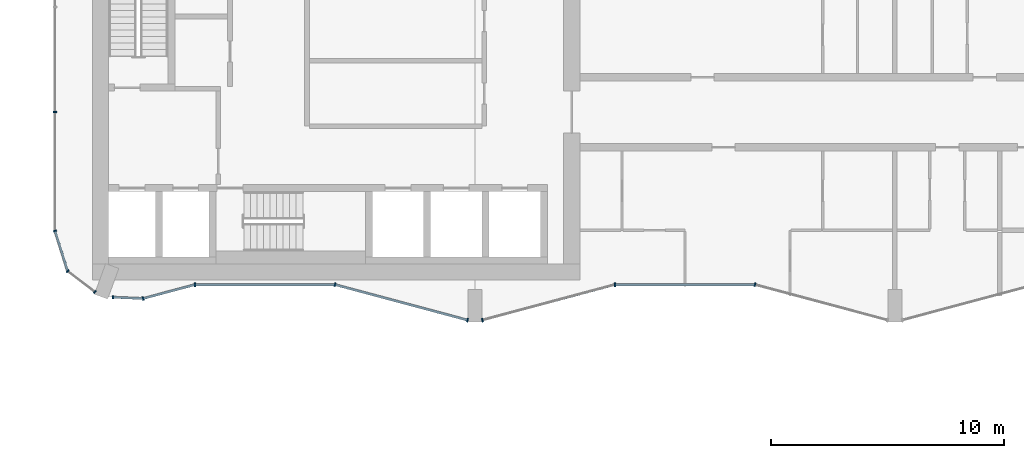
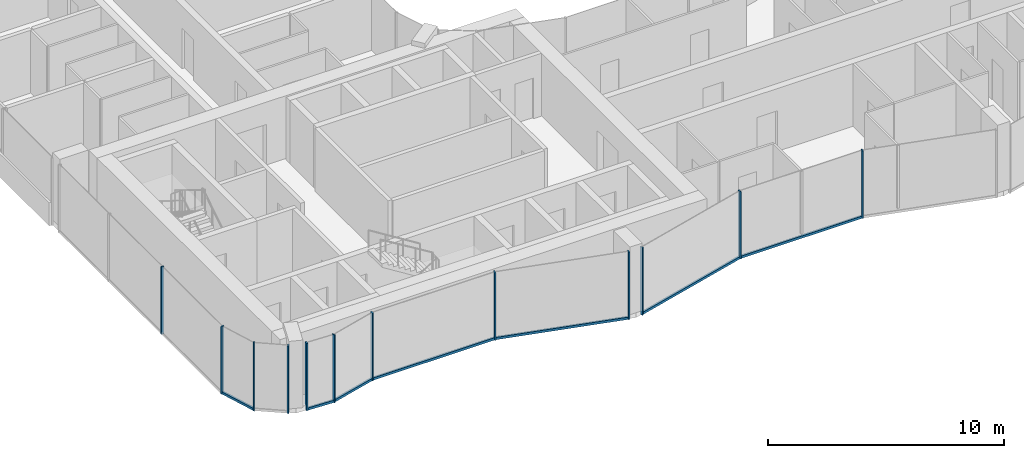
# One storey, part 2 of 23: 19 members, 10 elements without a shape of their own.
"""IFC4 building model written with IfcOpenShell, lengths in metres."""

from ifc_helpers import new_model, si_unit, direction, frame, origin, origin_2d, place, context, subcontext, project, spatial, rectangle, extrude, material, layer, layer_set, material_profile, profile_set, type_object, element, aggregate, save


model = new_model("IFC4")

# Units and contexts
model_context = context("Model", 3, precision=1e-05, world=origin(), true_north=direction((0.0, 1.0)))
body_context = subcontext(model_context, "Body", "Model", "MODEL_VIEW")
ifc_project = project(units=[si_unit("LENGTHUNIT", "METRE"), si_unit("AREAUNIT", "SQUARE_METRE"), si_unit("VOLUMEUNIT", "CUBIC_METRE"), si_unit("PLANEANGLEUNIT", "RADIAN"), si_unit("MASSUNIT", "GRAM", prefix="KILO")], contexts=[model_context])

# Site, building, storey
site_placement = place(None, origin())
site = spatial("IfcSite", under=ifc_project, at=site_placement, CompositionType="ELEMENT")
building_placement = place(site_placement, origin())
building = spatial("IfcBuilding", under=site, at=building_placement, Name="Plateau Cross Towers", CompositionType="ELEMENT")
storey_placement = place(building_placement, frame((0.0, 0.0, 95.800048828125)))
storey = spatial("IfcBuildingStorey", under=building, at=storey_placement, Name="L24", CompositionType="ELEMENT", Elevation=95.800048828125)

# Curtain wall, member
ifc_material_1 = material(Name="Dark low-iron glass", Category="glass")
ifc_layer_1 = layer(ifc_material_1, 0.239990234375)
ifc_layer_set_1 = layer_set([ifc_layer_1], Name="Dark low-iron glass")
curtain_wall_type_1 = type_object("IfcCurtainWallType", Name="Curtain wall flush unitised CW-B", PredefinedType="NOTDEFINED", material=ifc_layer_set_1)
curtain_wall_1_placement = place(storey_placement, origin())
curtain_wall_1 = element("IfcCurtainWall", 1, at=curtain_wall_1_placement, inside=storey, type_object=curtain_wall_type_1, Name="ENV/A/L24/A0_177", PredefinedType="NOTDEFINED")
ifc_material_2 = material(Name="Black anodised aluminium", Category="aluminium")
ifc_material_profile_1 = material_profile(ifc_material_2, rectangle(XDim=0.06005859375, YDim=0.139892578125, at=origin_2d()), Name="MULLION 60x140")
ifc_profile_set_1 = profile_set([ifc_material_profile_1], Name="Black anodised aluminium")
member_type_1 = type_object("IfcMemberType", Name="Mullion 60x140 flush unitised", PredefinedType="MULLION", material=ifc_profile_set_1)
member_1_placement = place(storey_placement, frame((0.0, 9.0, -0.25), z_axis=(0.0, 0.0, 1.0), x_axis=(0.0, -1.0, 0.0)))
member_1 = element("IfcMember", 2, at=member_1_placement, type_object=member_type_1, Name="CW-B mullion 3", PredefinedType="MULLION", context=body_context, shape_type="SweptSolid", body=[
    extrude(rectangle(XDim=0.06005859375, YDim=0.139892578125, at=origin_2d()), origin(), (0.0, 0.0, 1.0), 3.5),
])
aggregate(curtain_wall_1, [member_1])

curtain_wall_2_placement = place(storey_placement, origin())
curtain_wall_2 = element("IfcCurtainWall", 3, at=curtain_wall_2_placement, inside=storey, type_object=curtain_wall_type_1, Name="ENV/A/L24/A0_39", PredefinedType="NOTDEFINED")
member_2_placement = place(storey_placement, frame((0.0, 3.9091796875, -0.25), z_axis=(0.0, 0.0, 1.0), x_axis=(0.300686174994, -0.95372313811, 0.0)))
member_2 = element("IfcMember", 4, at=member_2_placement, type_object=member_type_1, Name="CW-B mullion 1", PredefinedType="MULLION", context=body_context, shape_type="SweptSolid", body=[
    extrude(rectangle(XDim=0.06005859375, YDim=0.139892578125, at=origin_2d()), origin(), (0.0, 0.0, 1.0), 3.5),
])

# Curtain wall, members
curtain_wall_3_placement = place(storey_placement, origin())
curtain_wall_3 = element("IfcCurtainWall", 5, at=curtain_wall_3_placement, inside=storey, type_object=curtain_wall_type_1, Name="ENV/A/L24/A5_22", PredefinedType="NOTDEFINED")
member_3_placement = place(storey_placement, frame((0.54248046875, 2.1884765625, -0.25), z_axis=(0.0, 0.0, 1.0), x_axis=(0.793315514529, -0.608810721331, 0.0)))
member_3 = element("IfcMember", 6, at=member_3_placement, type_object=member_type_1, Name="CW-B mullion 1", PredefinedType="MULLION", context=body_context, shape_type="SweptSolid", body=[
    extrude(rectangle(XDim=0.06005859375, YDim=0.139892578125, at=origin_2d()), origin(), (0.0, 0.0, 1.0), 3.5),
])
member_4_placement = place(storey_placement, frame((1.709716796875, 1.292724609375, -0.25), z_axis=(0.0, 0.0, 1.0), x_axis=(0.793315514529, -0.608810721331, 0.0)))
member_4 = element("IfcMember", 7, at=member_4_placement, type_object=member_type_1, Name="CW-B mullion 2", PredefinedType="MULLION", context=body_context, shape_type="SweptSolid", body=[
    extrude(rectangle(XDim=0.06005859375, YDim=0.139892578125, at=origin_2d()), origin(), (0.0, 0.0, 1.0), 3.5),
])
aggregate(curtain_wall_3, [member_3, member_4])

# Curtain wall, member
curtain_wall_4_placement = place(storey_placement, origin())
curtain_wall_4 = element("IfcCurtainWall", 8, at=curtain_wall_4_placement, inside=storey, type_object=curtain_wall_type_1, Name="ENV/A/L24/A25_11", PredefinedType="NOTDEFINED")
member_5_placement = place(storey_placement, frame((2.483642578125, 1.06787109375, -0.25), z_axis=(0.0, 0.0, 1.0), x_axis=(0.999043701491, -0.043722791671, 0.0)))
member_5 = element("IfcMember", 9, at=member_5_placement, type_object=member_type_1, Name="CW-B mullion 1", PredefinedType="MULLION", context=body_context, shape_type="SweptSolid", body=[
    extrude(rectangle(XDim=0.06005859375, YDim=0.139892578125, at=origin_2d()), origin(), (0.0, 0.0, 1.0), 3.5),
])

ifc_layer_2 = layer(ifc_material_1, 0.260009765625)
ifc_layer_set_2 = layer_set([ifc_layer_2], Name="Dark low-iron glass")
curtain_wall_type_2 = type_object("IfcCurtainWallType", Name="Curtain wall fluted unitised CW-A", PredefinedType="NOTDEFINED", material=ifc_layer_set_2)
curtain_wall_5_placement = place(storey_placement, origin())
curtain_wall_5 = element("IfcCurtainWall", 10, at=curtain_wall_5_placement, inside=storey, type_object=curtain_wall_type_2, Name="ENV/A/L24/A38_10", PredefinedType="NOTDEFINED")
ifc_material_profile_2 = material_profile(ifc_material_2, rectangle(XDim=0.06005859375, YDim=0.159912109375, at=origin_2d()), Name="MULLION 60x160")
ifc_profile_set_2 = profile_set([ifc_material_profile_2], Name="Black anodised aluminium")
member_type_2 = type_object("IfcMemberType", Name="Mullion 60x160 fluted unitised", PredefinedType="MULLION", material=ifc_profile_set_2)
member_6_placement = place(storey_placement, frame((3.776123046875, 1.01123046875, -0.25), z_axis=(0.0, 0.0, 1.0), x_axis=(0.965957962328, 0.258699081978, 0.0)))
member_6 = element("IfcMember", 11, at=member_6_placement, type_object=member_type_2, Name="CW-A mullion 1", PredefinedType="MULLION", context=body_context, shape_type="SweptSolid", body=[
    extrude(rectangle(XDim=0.06005859375, YDim=0.159912109375, at=origin_2d()), origin(), (0.0, 0.0, 1.0), 3.5),
])

curtain_wall_6_placement = place(storey_placement, origin())
curtain_wall_6 = element("IfcCurtainWall", 12, at=curtain_wall_6_placement, inside=storey, type_object=curtain_wall_type_2, Name="ENV/A/L24/A60_16", PredefinedType="NOTDEFINED")
member_7_placement = place(storey_placement, frame((6.0, 1.60693359375, -0.25), z_axis=(0.0, 0.0, 1.0), x_axis=(1.0, 0.0, 0.0)))
member_7 = element("IfcMember", 13, at=member_7_placement, type_object=member_type_2, Name="CW-A mullion 1", PredefinedType="MULLION", context=body_context, shape_type="SweptSolid", body=[
    extrude(rectangle(XDim=0.06005859375, YDim=0.159912109375, at=origin_2d()), origin(), (0.0, 0.0, 1.0), 3.5),
])

# Curtain wall, members
curtain_wall_7_placement = place(storey_placement, origin())
curtain_wall_7 = element("IfcCurtainWall", 14, at=curtain_wall_7_placement, inside=storey, type_object=curtain_wall_type_2, Name="ENV/A/L24/A120_16", PredefinedType="NOTDEFINED")
member_8_placement = place(storey_placement, frame((12.0, 1.60693359375, -0.25), z_axis=(0.0, 0.0, 1.0), x_axis=(0.965957983404, -0.258699003279, 0.0)))
member_8 = element("IfcMember", 15, at=member_8_placement, type_object=member_type_2, Name="CW-A mullion 1", PredefinedType="MULLION", context=body_context, shape_type="SweptSolid", body=[
    extrude(rectangle(XDim=0.06005859375, YDim=0.159912109375, at=origin_2d()), origin(), (0.0, 0.0, 1.0), 3.5),
])
member_9_placement = place(storey_placement, frame((17.68212890625, 0.085205078125, -0.25), z_axis=(0.0, 0.0, 1.0), x_axis=(0.965957983404, -0.258699003279, 0.0)))
member_9 = element("IfcMember", 16, at=member_9_placement, type_object=member_type_2, Name="CW-A mullion 2", PredefinedType="MULLION", context=body_context, shape_type="SweptSolid", body=[
    extrude(rectangle(XDim=0.06005859375, YDim=0.159912109375, at=origin_2d()), origin(), (0.0, 0.0, 1.0), 3.5),
])

# Curtain wall, member
curtain_wall_8_placement = place(storey_placement, origin())
curtain_wall_8 = element("IfcCurtainWall", 17, at=curtain_wall_8_placement, inside=storey, type_object=curtain_wall_type_2, Name="ENV/A/L24/A183_1", PredefinedType="NOTDEFINED")
member_10_placement = place(storey_placement, frame((18.31787109375, 0.085205078125, -0.25), z_axis=(0.0, 0.0, 1.0), x_axis=(0.965957983404, 0.258699003279, 0.0)))
member_10 = element("IfcMember", 18, at=member_10_placement, type_object=member_type_2, Name="CW-A mullion 1", PredefinedType="MULLION", context=body_context, shape_type="SweptSolid", body=[
    extrude(rectangle(XDim=0.06005859375, YDim=0.159912109375, at=origin_2d()), origin(), (0.0, 0.0, 1.0), 3.5),
])

curtain_wall_9_placement = place(storey_placement, origin())
curtain_wall_9 = element("IfcCurtainWall", 19, at=curtain_wall_9_placement, inside=storey, type_object=curtain_wall_type_2, Name="ENV/A/L24/A240_16", PredefinedType="NOTDEFINED")
member_11_placement = place(storey_placement, frame((24.0, 1.60693359375, -0.25), z_axis=(0.0, 0.0, 1.0), x_axis=(1.0, 0.0, 0.0)))
member_11 = element("IfcMember", 20, at=member_11_placement, type_object=member_type_2, Name="CW-A mullion 1", PredefinedType="MULLION", context=body_context, shape_type="SweptSolid", body=[
    extrude(rectangle(XDim=0.06005859375, YDim=0.159912109375, at=origin_2d()), origin(), (0.0, 0.0, 1.0), 3.5),
])

curtain_wall_10_placement = place(storey_placement, origin())
curtain_wall_10 = element("IfcCurtainWall", 21, at=curtain_wall_10_placement, inside=storey, type_object=curtain_wall_type_2, Name="ENV/A/L24/A300_16", PredefinedType="NOTDEFINED")
member_12_placement = place(storey_placement, frame((30.0, 1.60693359375, -0.25), z_axis=(0.0, 0.0, 1.0), x_axis=(0.965957983404, -0.258699003279, 0.0)))
member_12 = element("IfcMember", 22, at=member_12_placement, type_object=member_type_2, Name="CW-A mullion 1", PredefinedType="MULLION", context=body_context, shape_type="SweptSolid", body=[
    extrude(rectangle(XDim=0.06005859375, YDim=0.159912109375, at=origin_2d()), origin(), (0.0, 0.0, 1.0), 3.5),
])
aggregate(curtain_wall_10, [member_12])

# Member
ifc_material_profile_3 = material_profile(ifc_material_2, rectangle(XDim=0.10009765625, YDim=0.1201171875, at=origin_2d()), Name="TRANSOM 100x120")
ifc_profile_set_3 = profile_set([ifc_material_profile_3], Name="Black anodised aluminium")
member_type_3 = type_object("IfcMemberType", Name="Transom 100x120 flush unitised", PredefinedType="USERDEFINED", material=ifc_profile_set_3)
member_13_placement = place(storey_placement, frame((0.0, 3.9091796875, -0.18994140625), z_axis=(0.30067799945, -0.953725715626, 0.0), x_axis=(0.953725715626, 0.30067799945, 0.0)))
member_13 = element("IfcMember", 23, at=member_13_placement, type_object=member_type_3, Name="CW-B transom", ObjectType="TRANSOM", PredefinedType="USERDEFINED", context=body_context, shape_type="SweptSolid", body=[
    extrude(rectangle(XDim=0.10009765625, YDim=0.1201171875, at=origin_2d()), origin(), (0.0, 0.0, 1.0), 1.80419921875),
])

aggregate(curtain_wall_2, [member_2, member_13])

member_14_placement = place(storey_placement, frame((2.483642578125, 1.06787109375, -0.18994140625), z_axis=(0.999041144614, -0.043781175963, 0.0), x_axis=(0.043781175963, 0.999041144614, 0.0)))
member_14 = element("IfcMember", 24, at=member_14_placement, type_object=member_type_3, Name="CW-B transom", ObjectType="TRANSOM", PredefinedType="USERDEFINED", context=body_context, shape_type="SweptSolid", body=[
    extrude(rectangle(XDim=0.10009765625, YDim=0.1201171875, at=origin_2d()), origin(), (0.0, 0.0, 1.0), 1.293701171875),
])

aggregate(curtain_wall_4, [member_5, member_14])

ifc_material_profile_4 = material_profile(ifc_material_2, rectangle(XDim=0.10009765625, YDim=0.1201171875, at=origin_2d()), Name="TRANSOM 100x120")
ifc_profile_set_4 = profile_set([ifc_material_profile_4], Name="Black anodised aluminium")
member_type_4 = type_object("IfcMemberType", Name="Transom 100x120 fluted unitised", PredefinedType="USERDEFINED", material=ifc_profile_set_4)
member_15_placement = place(storey_placement, frame((3.776123046875, 1.01123046875, -0.18994140625), z_axis=(0.965945685136, 0.258744919501, 0.0), x_axis=(-0.258744919501, 0.965945685136, 0.0)))
member_15 = element("IfcMember", 25, at=member_15_placement, type_object=member_type_4, Name="CW-A transom", ObjectType="TRANSOM", PredefinedType="USERDEFINED", context=body_context, shape_type="SweptSolid", body=[
    extrude(rectangle(XDim=0.10009765625, YDim=0.1201171875, at=origin_2d()), origin(), (0.0, 0.0, 1.0), 2.30224609375),
])

aggregate(curtain_wall_5, [member_6, member_15])

member_16_placement = place(storey_placement, frame((6.0, 1.60693359375, -0.18994140625), z_axis=(1.0, 0.0, 0.0), x_axis=(0.0, 1.0, 0.0)))
member_16 = element("IfcMember", 26, at=member_16_placement, type_object=member_type_4, Name="CW-A transom", ObjectType="TRANSOM", PredefinedType="USERDEFINED", context=body_context, shape_type="SweptSolid", body=[
    extrude(rectangle(XDim=0.10009765625, YDim=0.1201171875, at=origin_2d()), origin(), (0.0, 0.0, 1.0), 6.0),
])

aggregate(curtain_wall_6, [member_7, member_16])

member_17_placement = place(storey_placement, frame((12.0, 1.60693359375, -0.18994140625), z_axis=(0.965959534794, -0.258693210465, 0.0), x_axis=(0.258693210465, 0.965959534794, 0.0)))
member_17 = element("IfcMember", 27, at=member_17_placement, type_object=member_type_4, Name="CW-A transom", ObjectType="TRANSOM", PredefinedType="USERDEFINED", context=body_context, shape_type="SweptSolid", body=[
    extrude(rectangle(XDim=0.10009765625, YDim=0.1201171875, at=origin_2d()), origin(), (0.0, 0.0, 1.0), 5.88232421875),
])

aggregate(curtain_wall_7, [member_8, member_9, member_17])

member_18_placement = place(storey_placement, frame((18.31787109375, 0.085205078125, -0.18994140625), z_axis=(0.965959534794, 0.258693210465, 0.0), x_axis=(-0.258693210465, 0.965959534794, 0.0)))
member_18 = element("IfcMember", 28, at=member_18_placement, type_object=member_type_4, Name="CW-A transom", ObjectType="TRANSOM", PredefinedType="USERDEFINED", context=body_context, shape_type="SweptSolid", body=[
    extrude(rectangle(XDim=0.10009765625, YDim=0.1201171875, at=origin_2d()), origin(), (0.0, 0.0, 1.0), 5.88232421875),
])

aggregate(curtain_wall_8, [member_10, member_18])

member_19_placement = place(storey_placement, frame((24.0, 1.60693359375, -0.18994140625), z_axis=(1.0, 0.0, 0.0), x_axis=(0.0, 1.0, 0.0)))
member_19 = element("IfcMember", 29, at=member_19_placement, type_object=member_type_4, Name="CW-A transom", ObjectType="TRANSOM", PredefinedType="USERDEFINED", context=body_context, shape_type="SweptSolid", body=[
    extrude(rectangle(XDim=0.10009765625, YDim=0.1201171875, at=origin_2d()), origin(), (0.0, 0.0, 1.0), 6.0),
])

aggregate(curtain_wall_9, [member_11, member_19])

save(model, "model.ifc")
